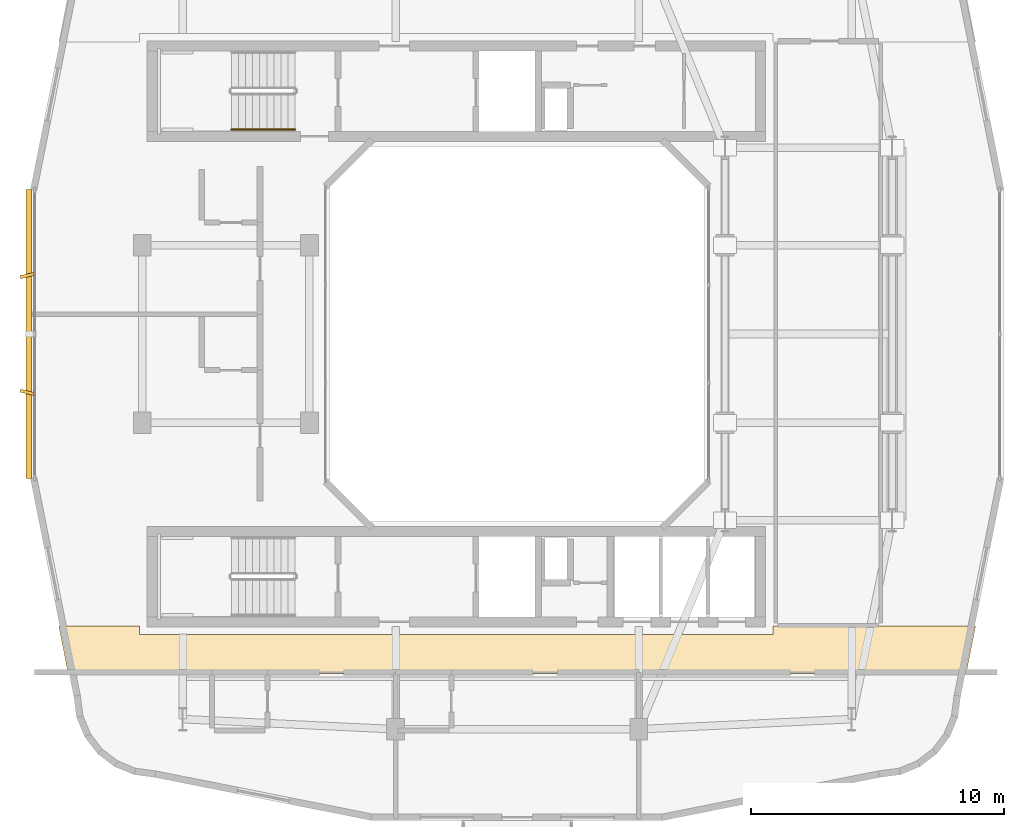
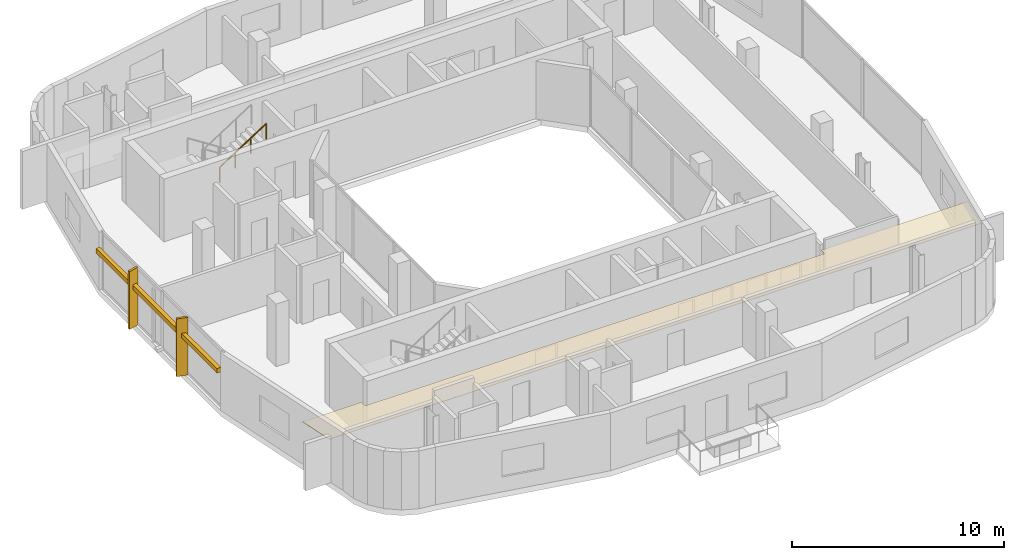
# One storey, part 11 of 13: 3 shading devices, 1 covering, 1 railing.
"""IFC4 building model written with IfcOpenShell, lengths in metres."""

from ifc_helpers import new_model, si_unit, derived_unit, direction, frame, origin, origin_2d, place, context, subcontext, project, spatial, polyline, rectangle, circle, outline, extrude, material, layer, layer_set, type_object, element, save


model = new_model("IFC4")

# Units and contexts
model_context = context("Model", 3, precision=1e-05, world=origin(), true_north=direction((0.0, 1.0)))
body_context = subcontext(model_context, "Body", "Model", "MODEL_VIEW")
ifc_project = project(units=[si_unit("LENGTHUNIT", "METRE"), si_unit("AREAUNIT", "SQUARE_METRE"), si_unit("VOLUMEUNIT", "CUBIC_METRE"), si_unit("PLANEANGLEUNIT", "RADIAN"), si_unit("MASSUNIT", "GRAM", prefix="KILO"), derived_unit("THERMALTRANSMITTANCEUNIT", [(si_unit("POWERUNIT", "WATT"), 1), (si_unit("LENGTHUNIT", "METRE"), -2), (si_unit("THERMODYNAMICTEMPERATUREUNIT", "KELVIN"), -1)])], contexts=[model_context])

# Site, building, storey
site_placement = place(None, origin())
site = spatial("IfcSite", under=ifc_project, at=site_placement, CompositionType="ELEMENT")
building_placement = place(site_placement, origin())
building = spatial("IfcBuilding", under=site, at=building_placement, Name="Kivonza Crest Hotel", CompositionType="ELEMENT")
storey_placement = place(building_placement, frame((0.0, 0.0, 199.10009765625)))
storey = spatial("IfcBuildingStorey", under=building, at=storey_placement, Name="L54", CompositionType="ELEMENT", Elevation=199.10009765625)

# Covering
ifc_material_1 = material(Name="Moisture-resistant gypsum plasterboard ceiling", Category="gypsum")
ifc_layer = layer(ifc_material_1, 0.030029296875)
ifc_layer_set = layer_set([ifc_layer], Name="Moisture-resistant gypsum plasterboard ceiling")
covering_type = type_object("IfcCoveringType", Name="CV-CEIL-GYP", PredefinedType="CEILING", material=ifc_layer_set)
covering_placement = place(storey_placement, frame((0.0, 0.0, 2.449951171875)))
element("IfcCovering", 1, at=covering_placement, inside=storey, type_object=covering_type, Name="L54 Hotel South Guest Corridor suspended ceiling", PredefinedType="CEILING", context=body_context, shape_type="SweptSolid", body=[
    extrude(outline(polyline([(2.906005859375, 13.47998046875), (3.278076171875, 11.610107421875), (38.721923828125, 11.610107421875), (39.093994140625, 13.47998046875), (31.10009765625, 13.47998046875), (31.10009765625, 13.139892578125), (6.10009765625, 13.139892578125), (6.10009765625, 13.47998046875), (2.906005859375, 13.47998046875)])), origin(), (0.0, 0.0, 1.0), 0.030029296875),
])

# Railing
ifc_material_2 = material(Name="Brushed stainless steel handrail", Category="steel")
railing_type = type_object("IfcRailingType", Name="RL-HAND-900", PredefinedType="HANDRAIL", material=ifc_material_2)
railing_placement = place(storey_placement, frame((9.719970703125, 33.070068359375, 1.97998046875)))
element("IfcRailing", 2, at=railing_placement, inside=storey, type_object=railing_type, Name="L54 ST-T1-N stair handrail 2", PredefinedType="HANDRAIL", context=body_context, shape_type="SweptSolid", body=[
    extrude(circle(Radius=0.02392578125, at=origin_2d()), frame((0.0, 0.0, 0.8759765625), z_axis=(0.841199657755, 0.0, 0.540724639528), x_axis=(0.0, 1.0, 0.0)), (0.0, 0.0, 1.0), 2.995849609375),
    extrude(circle(Radius=0.02099609375, at=origin_2d()), origin(), (0.0, 0.0, 1.0), 0.851806640625),
    extrude(circle(Radius=0.02099609375, at=origin_2d()), frame((0.840087890625, 0.0, 0.5400390625)), (0.0, 0.0, 1.0), 0.851806640625),
    extrude(circle(Radius=0.02099609375, at=origin_2d()), frame((1.679931640625, 0.0, 1.079833984375)), (0.0, 0.0, 1.0), 0.851806640625),
    extrude(circle(Radius=0.02099609375, at=origin_2d()), frame((2.52001953125, 0.0, 1.619873046875)), (0.0, 0.0, 1.0), 0.851806640625),
])

# Shading devices
ifc_material_3 = material(Name="Kiln-fired Nairobi red-ochre terracotta", Category="masonry")
shading_device_type_1 = type_object("IfcShadingDeviceType", Name="SH-BAGUETTE-300", PredefinedType="USERDEFINED", material=ifc_material_3)
shading_device_placement = place(storey_placement, frame((1.719970703125, 25.0, 2.19384765625), z_axis=(0.0, 0.0, 1.0), x_axis=(0.0, -1.0, 0.0)))
element("IfcShadingDevice", 3, at=shading_device_placement, inside=storey, type_object=shading_device_type_1, Name="L54 terracotta baguette screen CW-T1-L54-35", ObjectType="BAGUETTE", PredefinedType="USERDEFINED", context=body_context, shape_type="SweptSolid", body=[
    extrude(rectangle(XDim=11.39990234375, YDim=0.219970703125, at=origin_2d()), origin(), (0.0, 0.0, 1.0), 0.260009765625),
])
ifc_material_4 = material(Name="Kiln-fired terracotta over extruded aluminium spine", Category="masonry")
shading_device_type_2 = type_object("IfcShadingDeviceType", Name="SH-FIN-550", PredefinedType="USERDEFINED", material=ifc_material_4)
for number, where, z_axis, x_axis, name in (
    (4, (1.659912109375, 27.303955078125, 0.0), (0.0, 0.0, 1.0), (0.2419218956, -0.970295726276, 0.0), "L54 vertical solar shading fin CW-T1-L54-35-1"),
    (5, (1.659912109375, 22.696044921875, 0.0), (0.0, 0.0, 1.0), (-0.2419218956, -0.970295726276, 0.0), "L54 vertical solar shading fin CW-T1-L54-35-2"),
):
    element("IfcShadingDevice", number, at=place(storey_placement, frame(where, z_axis=z_axis, x_axis=x_axis)), inside=storey, type_object=shading_device_type_2, Name=name, ObjectType="FIN", PredefinedType="USERDEFINED", context=body_context, shape_type="SweptSolid", body=[
        extrude(rectangle(XDim=0.1201171875, YDim=0.550048828125, at=origin_2d()), origin(), (0.0, 0.0, 1.0), 3.320068359375),
    ])

save(model, "model.ifc")
